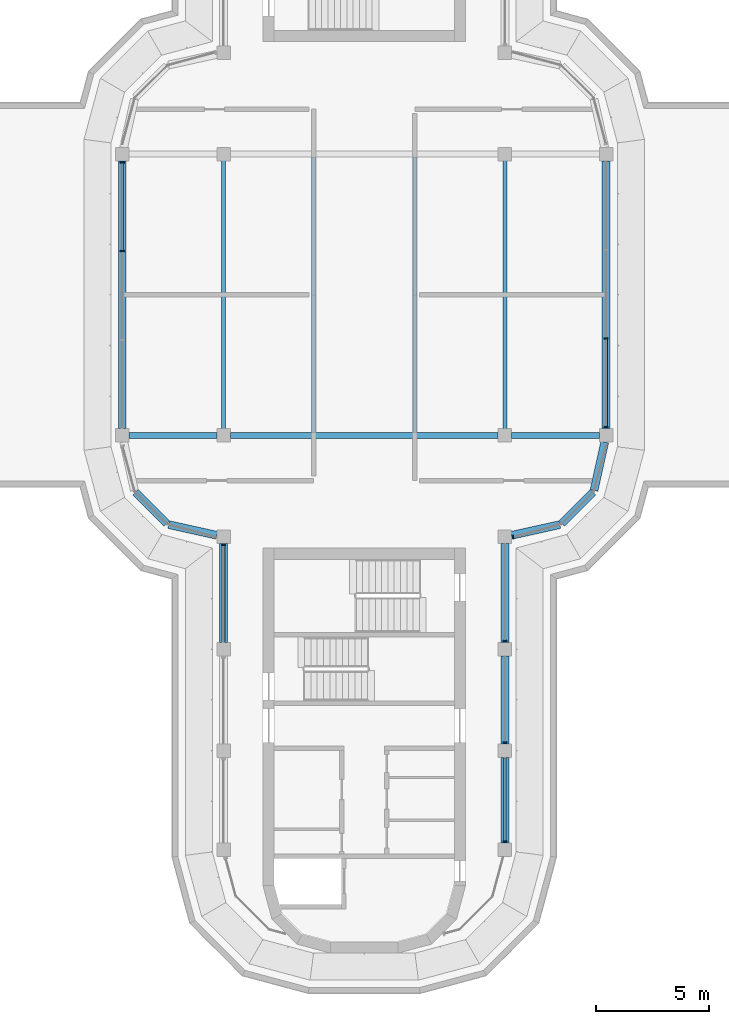
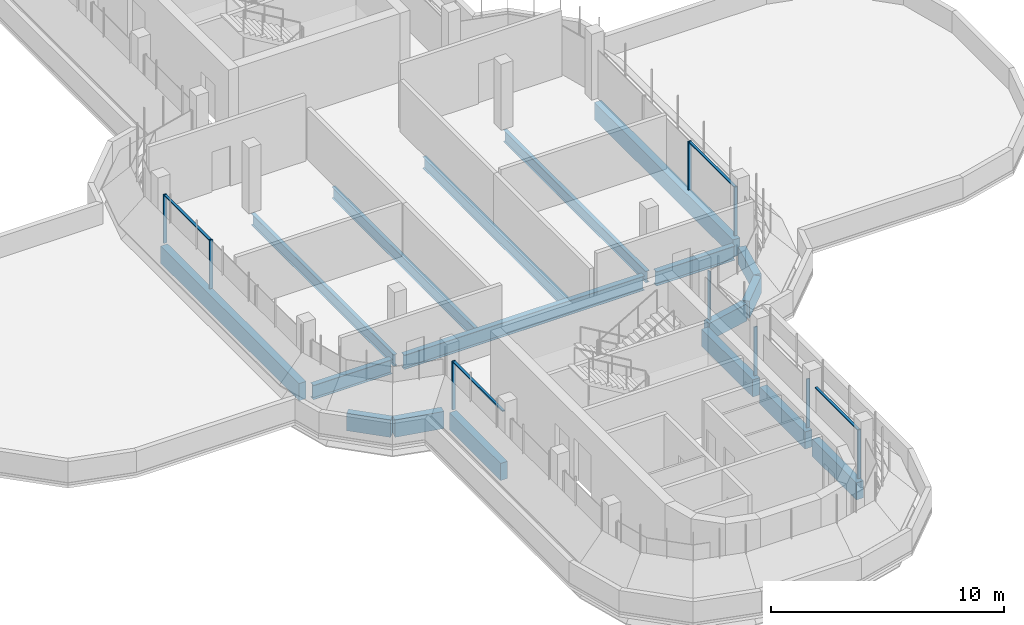
# One storey, part 3 of 13: 18 beams, 13 members, 5 elements without a shape of their own.
"""IFC4 building model written with IfcOpenShell, lengths in metres."""

from ifc_helpers import new_model, si_unit, direction, frame, origin, origin_2d, place, context, subcontext, project, spatial, polyline, rectangle, i_section, outline, extrude, source, transform, mapped, material, material_profile, profile_set, type_object, element, aggregate, save


model = new_model("IFC4")

# Units and contexts
model_context = context("Model", 3, precision=1e-05, world=origin(), true_north=direction((0.0, 1.0)))
body_context = subcontext(model_context, "Body", "Model", "MODEL_VIEW")
ifc_project = project(units=[si_unit("LENGTHUNIT", "METRE"), si_unit("AREAUNIT", "SQUARE_METRE"), si_unit("VOLUMEUNIT", "CUBIC_METRE"), si_unit("PLANEANGLEUNIT", "RADIAN"), si_unit("MASSUNIT", "GRAM", prefix="KILO")], contexts=[model_context])

# Site, building, storey
site_placement = place(None, origin())
site = spatial("IfcSite", under=ifc_project, at=site_placement, CompositionType="ELEMENT")
building_placement = place(site_placement, origin())
building = spatial("IfcBuilding", under=site, at=building_placement, Name="Zarbagh Exchange Tower", CompositionType="ELEMENT")
storey_placement = place(building_placement, frame((0.0, 0.0, 298.800048828125)))
storey = spatial("IfcBuildingStorey", under=building, at=storey_placement, Name="L73", CompositionType="ELEMENT", Elevation=298.800048828125)

# Beams
ifc_material_1 = material(Name="Steel ASTM A992 Gr 50", Category="steel")
ifc_material_profile_1 = material_profile(ifc_material_1, i_section(OverallWidth=0.1787109375, OverallDepth=0.60205078125, WebThickness=0.010986328125, FlangeThickness=0.014892578125, at=origin_2d()), Name="W24X62")
ifc_profile_set_1 = profile_set([ifc_material_profile_1], Name="Steel ASTM A992 Gr 50")
beam_type_1 = type_object("IfcBeamType", Name="Floor beam W24X62", PredefinedType="BEAM", material=ifc_profile_set_1)
for number, where, z_axis, x_axis, name in (
    (1, (-6.25, -6.117919921875, -0.450927734375), (0.0, 1.0, 0.0), (-1.0, 0.0, 0.0), "Steel floor beam"),
    (2, (-2.25, -6.117919921875, -0.450927734375), (0.0, 1.0, 0.0), (-1.0, 0.0, 0.0), "Steel floor beam"),
    (3, (2.25, -6.117919921875, -0.450927734375), (0.0, 1.0, 0.0), (-1.0, 0.0, 0.0), "Steel floor beam"),
    (4, (6.25, -6.117919921875, -0.450927734375), (0.0, 1.0, 0.0), (-1.0, 0.0, 0.0), "Steel floor beam"),
):
    element("IfcBeam", number, at=place(storey_placement, frame(where, z_axis=z_axis, x_axis=x_axis)), inside=storey, type_object=beam_type_1, Name=name, PredefinedType="BEAM", context=body_context, shape_type="SweptSolid", body=[
        extrude(i_section(OverallWidth=0.1787109375, OverallDepth=0.60205078125, WebThickness=0.010986328125, FlangeThickness=0.014892578125, at=origin_2d()), origin(), (0.0, 0.0, 1.0), 12.23583984375),
    ])
ifc_material_profile_2 = material_profile(ifc_material_1, i_section(OverallWidth=0.26416015625, OverallDepth=0.749267578125, WebThickness=0.011962890625, FlangeThickness=0.015380859375, at=origin_2d()), Name="W30X90")
ifc_profile_set_2 = profile_set([ifc_material_profile_2], Name="Steel ASTM A992 Gr 50")
beam_type_2 = type_object("IfcBeamType", Name="Floor girder W30X90", PredefinedType="BEAM", material=ifc_profile_set_2)
beam_1_placement = place(storey_placement, frame((-10.449951171875, -6.25, -0.524658203125), z_axis=(1.0, 0.0, 0.0), x_axis=(0.0, 1.0, 0.0)))
element("IfcBeam", 5, at=beam_1_placement, inside=storey, type_object=beam_type_2, Name="Steel girder", PredefinedType="BEAM", context=body_context, shape_type="SweptSolid", body=[
    extrude(i_section(OverallWidth=0.26416015625, OverallDepth=0.749267578125, WebThickness=0.011962890625, FlangeThickness=0.015380859375, at=origin_2d()), origin(), (0.0, 0.0, 1.0), 3.89990234375),
])
beam_2_placement = place(storey_placement, frame((-5.949951171875, -6.25, -0.524658203125), z_axis=(1.0, 0.0, 0.0), x_axis=(0.0, 1.0, 0.0)))
element("IfcBeam", 6, at=beam_2_placement, inside=storey, type_object=beam_type_2, Name="Steel girder", PredefinedType="BEAM", context=body_context, shape_type="SweptSolid", body=[
    extrude(i_section(OverallWidth=0.26416015625, OverallDepth=0.749267578125, WebThickness=0.011962890625, FlangeThickness=0.015380859375, at=origin_2d()), origin(), (0.0, 0.0, 1.0), 11.89990234375),
])
beam_3_placement = place(storey_placement, frame((6.550048828125, -6.25, -0.524658203125), z_axis=(1.0, 0.0, 0.0), x_axis=(0.0, 1.0, 0.0)))
element("IfcBeam", 7, at=beam_3_placement, inside=storey, type_object=beam_type_2, Name="Steel girder", PredefinedType="BEAM", context=body_context, shape_type="SweptSolid", body=[
    extrude(i_section(OverallWidth=0.26416015625, OverallDepth=0.749267578125, WebThickness=0.011962890625, FlangeThickness=0.015380859375, at=origin_2d()), origin(), (0.0, 0.0, 1.0), 3.89990234375),
])
ifc_material_2 = material(Name="Concrete C40/50", Category="concrete")
ifc_material_profile_3 = material_profile(ifc_material_2, rectangle(XDim=0.35009765625, YDim=0.89990234375, at=origin_2d()), Name="RC spandrel beam 350 x 900 C40/50")
ifc_profile_set_3 = profile_set([ifc_material_profile_3], Name="Concrete C40/50")
beam_type_3 = type_object("IfcBeamType", Name="RC spandrel beam 350 x 900 C40/50", PredefinedType="SPANDREL", material=ifc_profile_set_3)
beam_4_placement = place(storey_placement, frame((-6.25, -15.449951171875, -0.60009765625), z_axis=(0.0, 1.0, 0.0), x_axis=(-1.0, 0.0, 0.0)))
element("IfcBeam", 8, at=beam_4_placement, inside=storey, type_object=beam_type_3, Name="RC spandrel beam", PredefinedType="SPANDREL", context=body_context, shape_type="SweptSolid", body=[
    extrude(rectangle(XDim=0.35009765625, YDim=0.89990234375, at=origin_2d()), origin(), (0.0, 0.0, 1.0), 4.39990234375),
])
beam_5_placement = place(storey_placement, frame((-6.54296875, -10.685302734375, -0.60009765625), z_axis=(-0.976387662047, 0.216025770228, 0.0), x_axis=(-0.216025770228, -0.976387662047, 0.0)))
element("IfcBeam", 9, at=beam_5_placement, inside=storey, type_object=beam_type_3, Name="RC spandrel beam", PredefinedType="SPANDREL", context=body_context, shape_type="SweptSolid", body=[
    extrude(rectangle(XDim=0.35009765625, YDim=0.89990234375, at=origin_2d()), origin(), (0.0, 0.0, 1.0), 2.200439453125),
])
beam_6_placement = place(storey_placement, frame((-8.77734375, -10.16259765625, -0.60009765625), z_axis=(-0.707106781187, 0.707106781187, 0.0), x_axis=(-0.707106781187, -0.707106781187, 0.0)))
element("IfcBeam", 10, at=beam_6_placement, inside=storey, type_object=beam_type_3, Name="RC spandrel beam", PredefinedType="SPANDREL", context=body_context, shape_type="SweptSolid", body=[
    extrude(rectangle(XDim=0.35009765625, YDim=0.89990234375, at=origin_2d()), origin(), (0.0, 0.0, 1.0), 1.958984375),
])
for number, where, z_axis, x_axis, name in (
    (11, (-10.75, -5.949951171875, -0.60009765625), (0.0, 1.0, 0.0), (-1.0, 0.0, 0.0), "RC spandrel beam"),
    (12, (10.75, 5.949951171875, -0.60009765625), (0.0, -1.0, 0.0), (1.0, 0.0, 0.0), "RC spandrel beam"),
):
    element("IfcBeam", number, at=place(storey_placement, frame(where, z_axis=z_axis, x_axis=x_axis)), inside=storey, type_object=beam_type_3, Name=name, PredefinedType="SPANDREL", context=body_context, shape_type="SweptSolid", body=[
        extrude(rectangle(XDim=0.35009765625, YDim=0.89990234375, at=origin_2d()), origin(), (0.0, 0.0, 1.0), 11.89990234375),
    ])
beam_7_placement = place(storey_placement, frame((10.685302734375, -6.54296875, -0.60009765625), z_axis=(-0.216025770228, -0.976387662047, 0.0), x_axis=(0.976387662047, -0.216025770228, 0.0)))
element("IfcBeam", 13, at=beam_7_placement, inside=storey, type_object=beam_type_3, Name="RC spandrel beam", PredefinedType="SPANDREL", context=body_context, shape_type="SweptSolid", body=[
    extrude(rectangle(XDim=0.35009765625, YDim=0.89990234375, at=origin_2d()), origin(), (0.0, 0.0, 1.0), 2.200439453125),
])
beam_8_placement = place(storey_placement, frame((10.16259765625, -8.77734375, -0.60009765625), z_axis=(-0.707106781187, -0.707106781187, 0.0), x_axis=(0.707106781187, -0.707106781187, 0.0)))
element("IfcBeam", 14, at=beam_8_placement, inside=storey, type_object=beam_type_3, Name="RC spandrel beam", PredefinedType="SPANDREL", context=body_context, shape_type="SweptSolid", body=[
    extrude(rectangle(XDim=0.35009765625, YDim=0.89990234375, at=origin_2d()), origin(), (0.0, 0.0, 1.0), 1.958984375),
])
beam_9_placement = place(storey_placement, frame((8.69140625, -10.2099609375, -0.60009765625), z_axis=(-0.976387662047, -0.216025770228, 0.0), x_axis=(0.216025770228, -0.976387662047, 0.0)))
element("IfcBeam", 15, at=beam_9_placement, inside=storey, type_object=beam_type_3, Name="RC spandrel beam", PredefinedType="SPANDREL", context=body_context, shape_type="SweptSolid", body=[
    extrude(rectangle(XDim=0.35009765625, YDim=0.89990234375, at=origin_2d()), origin(), (0.0, 0.0, 1.0), 2.200439453125),
])
beam_10_placement = place(storey_placement, frame((6.25, -11.050048828125, -0.60009765625), z_axis=(0.0, -1.0, 0.0), x_axis=(1.0, 0.0, 0.0)))
element("IfcBeam", 16, at=beam_10_placement, inside=storey, type_object=beam_type_3, Name="RC spandrel beam", PredefinedType="SPANDREL", context=body_context, shape_type="SweptSolid", body=[
    extrude(rectangle(XDim=0.35009765625, YDim=0.89990234375, at=origin_2d()), origin(), (0.0, 0.0, 1.0), 4.39990234375),
])
beam_11_placement = place(storey_placement, frame((6.25, -16.050048828125, -0.60009765625), z_axis=(0.0, -1.0, 0.0), x_axis=(1.0, 0.0, 0.0)))
element("IfcBeam", 17, at=beam_11_placement, inside=storey, type_object=beam_type_3, Name="RC spandrel beam", PredefinedType="SPANDREL", context=body_context, shape_type="SweptSolid", body=[
    extrude(rectangle(XDim=0.35009765625, YDim=0.89990234375, at=origin_2d()), origin(), (0.0, 0.0, 1.0), 3.89990234375),
])
beam_12_placement = place(storey_placement, frame((6.25, -20.550048828125, -0.60009765625), z_axis=(0.0, -1.0, 0.0), x_axis=(1.0, 0.0, 0.0)))
element("IfcBeam", 18, at=beam_12_placement, inside=storey, type_object=beam_type_3, Name="RC spandrel beam", PredefinedType="SPANDREL", context=body_context, shape_type="SweptSolid", body=[
    extrude(rectangle(XDim=0.35009765625, YDim=0.89990234375, at=origin_2d()), origin(), (0.0, 0.0, 1.0), 3.800048828125),
])

# Curtain wall, member
ifc_material_3 = material(Name="Anodised aluminium frame and glazing", Category="aluminium")
curtain_wall_type = type_object("IfcCurtainWallType", Name="CWF Crown tier glazing", PredefinedType="NOTDEFINED", material=ifc_material_3)
curtain_wall_1_placement = place(storey_placement, origin())
curtain_wall_1 = element("IfcCurtainWall", 19, at=curtain_wall_1_placement, inside=storey, type_object=curtain_wall_type, Name="CWF43 curtain wall", PredefinedType="NOTDEFINED")
ifc_material_4 = material(Name="Anodised aluminium frame", Category="aluminium")
member_type_1 = type_object("IfcMemberType", Name="TRF Transom, anodised aluminium frame", PredefinedType="USERDEFINED", material=ifc_material_4)
shared_shape_1 = source(origin(), body_context, "Body", "SweptSolid", [
    extrude(outline(polyline([(-0.06005859375, -0.06005859375), (0.0, -0.06005859375), (0.0, 0.06005859375), (-0.06005859375, 0.06005859375), (-0.06005859375, -0.06005859375)])), origin(), (0.0, 0.0, 1.0), 4.260009765625),
])
placement = place(storey_placement, origin())
member_1 = element("IfcMember", 20, at=placement, type_object=member_type_1, Name="CWF43 transom 1.1", ObjectType="TRANSOM", PredefinedType="USERDEFINED", context=body_context, shape_type="MappedRepresentation", body=[
    mapped(shared_shape_1, transform((-6.25, -11.150146484375, 2.550048828125), x_axis=(0.0, 0.0, 1.0), y_axis=(-1.0, 0.0, 0.0), z_axis=(0.0, -1.0, 0.0))),
])

# Curtain wall, members
curtain_wall_2_placement = place(storey_placement, origin())
curtain_wall_2 = element("IfcCurtainWall", 21, at=curtain_wall_2_placement, inside=storey, type_object=curtain_wall_type, Name="CWF04 curtain wall", PredefinedType="NOTDEFINED")
shared_shape_2 = source(origin(), body_context, "Body", "SweptSolid", [
    extrude(outline(polyline([(-0.06005859375, -0.06005859375), (0.0, -0.06005859375), (0.0, 0.06005859375), (-0.06005859375, 0.06005859375), (-0.06005859375, -0.06005859375)])), origin(), (0.0, 0.0, 1.0), 3.659912109375),
])
member_2 = element("IfcMember", 22, at=placement, type_object=member_type_1, Name="CWF04 transom 1.1", ObjectType="TRANSOM", PredefinedType="USERDEFINED", context=body_context, shape_type="MappedRepresentation", body=[
    mapped(shared_shape_2, transform((6.25, -24.25, 2.550048828125), x_axis=(0.0, 0.0, 1.0), y_axis=(1.0, 0.0, 0.0), z_axis=(0.0, 1.0, 0.0))),
])
member_type_2 = type_object("IfcMemberType", Name="MUF Mullion, anodised aluminium frame", PredefinedType="MULLION", material=ifc_material_4)
shared_shape_3 = source(origin(), body_context, "Body", "SweptSolid", [
    extrude(outline(polyline([(0.0, -0.080078125), (0.06005859375, -0.080078125), (0.06005859375, 0.080078125), (0.0, 0.080078125), (0.0, -0.080078125)])), origin(), (0.0, 0.0, 1.0), 2.550048828125),
])
member_3 = element("IfcMember", 23, at=placement, type_object=member_type_2, Name="CWF04 mullion 1.1", PredefinedType="MULLION", context=body_context, shape_type="MappedRepresentation", body=[
    mapped(shared_shape_3, transform((6.25, -24.31005859375, 0.0), x_axis=(0.0, 1.0, 0.0), y_axis=(-1.0, 0.0, 0.0), z_axis=(0.0, 0.0, 1.0))),
])
member_4 = element("IfcMember", 24, at=placement, type_object=member_type_2, Name="CWF04 mullion 2.1", PredefinedType="MULLION", context=body_context, shape_type="MappedRepresentation", body=[
    mapped(shared_shape_3, transform((6.25, -19.909912109375, 0.0), x_axis=(0.0, 1.0, 0.0), y_axis=(-1.0, 0.0, 0.0), z_axis=(0.0, 0.0, 1.0))),
])
member_5 = element("IfcMember", 25, at=placement, type_object=member_type_2, Name="CWF04 mullion 3.1", PredefinedType="MULLION", context=body_context, shape_type="MappedRepresentation", body=[
    mapped(shared_shape_3, transform((6.25, -15.409912109375, 0.0), x_axis=(0.0, 1.0, 0.0), y_axis=(-1.0, 0.0, 0.0), z_axis=(0.0, 0.0, 1.0))),
])
aggregate(curtain_wall_2, [member_3, member_2, member_4, member_5])

# Curtain wall, member
curtain_wall_3_placement = place(storey_placement, origin())
curtain_wall_3 = element("IfcCurtainWall", 26, at=curtain_wall_3_placement, inside=storey, type_object=curtain_wall_type, Name="CWF05 curtain wall", PredefinedType="NOTDEFINED")
member_6 = element("IfcMember", 27, at=placement, type_object=member_type_2, Name="CWF05 mullion 1.1", PredefinedType="MULLION", context=body_context, shape_type="MappedRepresentation", body=[
    mapped(shared_shape_3, transform((6.590087890625, -10.775146484375, 0.0), x_axis=(0.965924289636, 0.258824779902, 0.0), y_axis=(-0.258824779902, 0.965924289636, 0.0), z_axis=(0.0, 0.0, 1.0))),
])
aggregate(curtain_wall_3, [member_6])

# Curtain wall, members
curtain_wall_4_placement = place(storey_placement, origin())
curtain_wall_4 = element("IfcCurtainWall", 28, at=curtain_wall_4_placement, inside=storey, type_object=curtain_wall_type, Name="CWF47 curtain wall", PredefinedType="NOTDEFINED")
member_7 = element("IfcMember", 29, at=placement, type_object=member_type_2, Name="CWF47 mullion 1.1", PredefinedType="MULLION", context=body_context, shape_type="MappedRepresentation", body=[
    mapped(shared_shape_3, transform((10.75, -5.909912109375, 0.0), x_axis=(0.0, 1.0, 0.0), y_axis=(-1.0, 0.0, 0.0), z_axis=(0.0, 0.0, 1.0))),
])
member_8 = element("IfcMember", 30, at=placement, type_object=member_type_2, Name="CWF47 mullion 1.2", PredefinedType="MULLION", context=body_context, shape_type="MappedRepresentation", body=[
    mapped(shared_shape_3, transform((10.75, -1.969970703125, 0.0), x_axis=(0.0, 1.0, 0.0), y_axis=(-1.0, 0.0, 0.0), z_axis=(0.0, 0.0, 1.0))),
])

curtain_wall_5_placement = place(storey_placement, origin())
curtain_wall_5 = element("IfcCurtainWall", 31, at=curtain_wall_5_placement, inside=storey, type_object=curtain_wall_type, Name="CWF48 curtain wall", PredefinedType="NOTDEFINED")
member_9 = element("IfcMember", 32, at=placement, type_object=member_type_2, Name="CWF48 mullion 1.1", PredefinedType="MULLION", context=body_context, shape_type="MappedRepresentation", body=[
    mapped(shared_shape_3, transform((-10.75, 5.909912109375, 0.0), x_axis=(0.0, -1.0, 0.0), y_axis=(1.0, 0.0, 0.0), z_axis=(0.0, 0.0, 1.0))),
])
member_10 = element("IfcMember", 33, at=placement, type_object=member_type_2, Name="CWF48 mullion 1.2", PredefinedType="MULLION", context=body_context, shape_type="MappedRepresentation", body=[
    mapped(shared_shape_3, transform((-10.75, 1.969970703125, 0.0), x_axis=(0.0, -1.0, 0.0), y_axis=(1.0, 0.0, 0.0), z_axis=(0.0, 0.0, 1.0))),
])

# Member
member_11 = element("IfcMember", 34, at=placement, type_object=member_type_2, Name="CWF43 mullion 1.1", PredefinedType="MULLION", context=body_context, shape_type="MappedRepresentation", body=[
    mapped(shared_shape_3, transform((-6.25, -11.090087890625, 0.0), x_axis=(0.0, -1.0, 0.0), y_axis=(1.0, 0.0, 0.0), z_axis=(0.0, 0.0, 1.0))),
])

aggregate(curtain_wall_1, [member_11, member_1])

shared_shape_4 = source(origin(), body_context, "Body", "SweptSolid", [
    extrude(outline(polyline([(-0.06005859375, -0.06005859375), (0.0, -0.06005859375), (0.0, 0.06005859375), (-0.06005859375, 0.06005859375), (-0.06005859375, -0.06005859375)])), origin(), (0.0, 0.0, 1.0), 3.8798828125),
])
member_12 = element("IfcMember", 35, at=placement, type_object=member_type_1, Name="CWF47 transom 1.1", ObjectType="TRANSOM", PredefinedType="USERDEFINED", context=body_context, shape_type="MappedRepresentation", body=[
    mapped(shared_shape_4, transform((10.75, -5.849853515625, 2.550048828125), x_axis=(0.0, 0.0, 1.0), y_axis=(1.0, 0.0, 0.0), z_axis=(0.0, 1.0, 0.0))),
])

aggregate(curtain_wall_4, [member_7, member_12, member_8])

member_13 = element("IfcMember", 36, at=placement, type_object=member_type_1, Name="CWF48 transom 1.1", ObjectType="TRANSOM", PredefinedType="USERDEFINED", context=body_context, shape_type="MappedRepresentation", body=[
    mapped(shared_shape_4, transform((-10.75, 5.849853515625, 2.550048828125), x_axis=(0.0, 0.0, 1.0), y_axis=(-1.0, 0.0, 0.0), z_axis=(0.0, -1.0, 0.0))),
])

aggregate(curtain_wall_5, [member_9, member_13, member_10])

save(model, "model.ifc")
